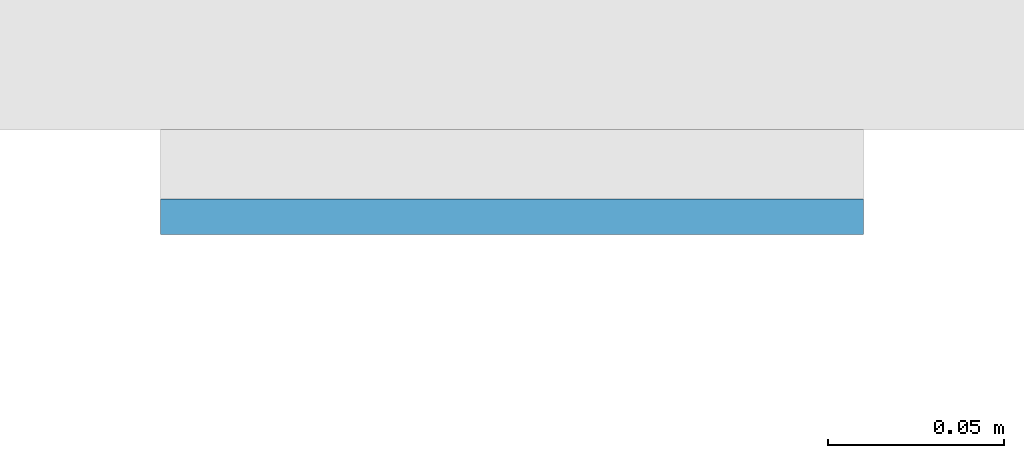
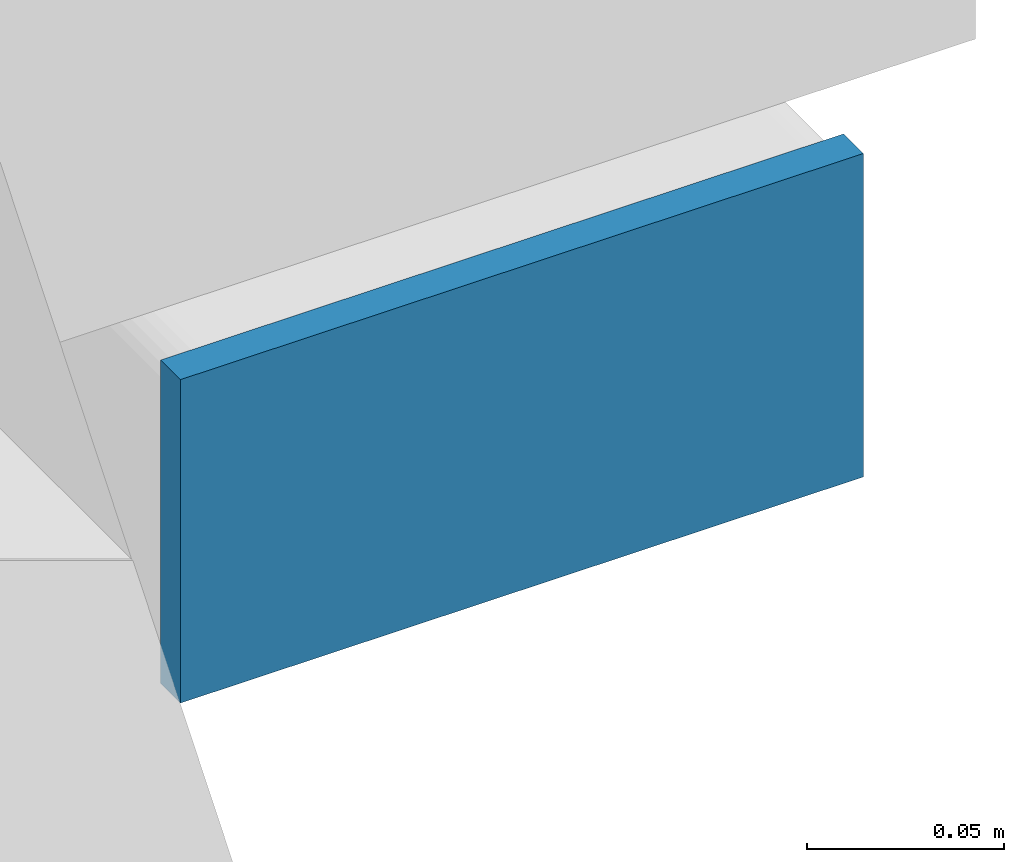
# One storey, part 10 of 20: 1 plate.
"""IFC4 building model written with IfcOpenShell, lengths in metres."""

from ifc_helpers import new_model, si_unit, direction, frame, origin, origin_2d, place, context, subcontext, project, spatial, rectangle, extrude, material, layer, layer_set, type_object, element, save


model = new_model("IFC4")

# Units and contexts
model_context = context("Model", 3, precision=1e-05, world=origin(), true_north=direction((0.0, 1.0)))
body_context = subcontext(model_context, "Body", "Model", "MODEL_VIEW")
ifc_project = project(units=[si_unit("LENGTHUNIT", "METRE"), si_unit("AREAUNIT", "SQUARE_METRE"), si_unit("VOLUMEUNIT", "CUBIC_METRE"), si_unit("PLANEANGLEUNIT", "RADIAN"), si_unit("MASSUNIT", "GRAM", prefix="KILO")], contexts=[model_context])

# Site, building, storey
site_placement = place(None, origin())
site = spatial("IfcSite", under=ifc_project, at=site_placement, CompositionType="ELEMENT")
building_placement = place(site_placement, origin())
building = spatial("IfcBuilding", under=site, at=building_placement, Name="Cleftline Residences", CompositionType="ELEMENT")
storey_placement = place(building_placement, frame((0.0, 0.0, 121.39990234375)))
storey = spatial("IfcBuildingStorey", under=building, at=storey_placement, Name="L31", CompositionType="ELEMENT", Elevation=121.39990234375)

# Plate
ifc_material = material(Name="Steel S355, hot-dip galvanised", Category="steel")
ifc_layer = layer(ifc_material, 0.010009765625)
ifc_layer_set = layer_set([ifc_layer], Name="BAGUETTE CARRIER END PLATE 200X100X10")
plate_type = type_object("IfcPlateType", Name="BAGUETTE CARRIER END PLATE 200X100X10", PredefinedType="USERDEFINED", material=ifc_layer_set)
plate_placement = place(storey_placement, frame((66.85009765625, 3.695068359375, -0.099853515625), z_axis=(0.0, 0.0, 1.0), x_axis=(1.0, 0.0, 0.0)))
element("IfcPlate", 1, at=plate_placement, inside=storey, type_object=plate_type, Name="Baguette carrier end plate", ObjectType="BAGUETTE CARRIER END PLATE", PredefinedType="USERDEFINED", context=body_context, shape_type="SweptSolid", body=[
    extrude(rectangle(XDim=0.199951171875, YDim=0.010009765625, at=origin_2d()), origin(), (0.0, 0.0, 1.0), 0.10009765625),
])

save(model, "model.ifc")
